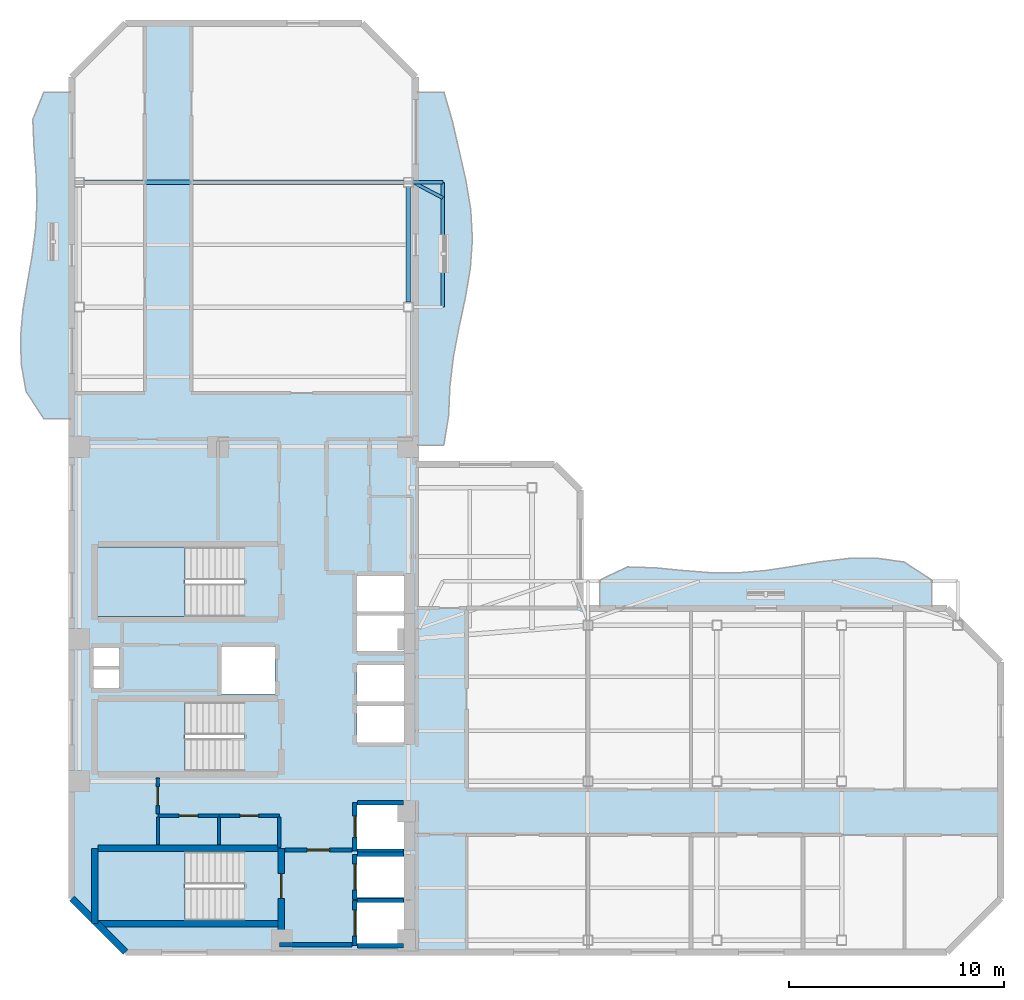
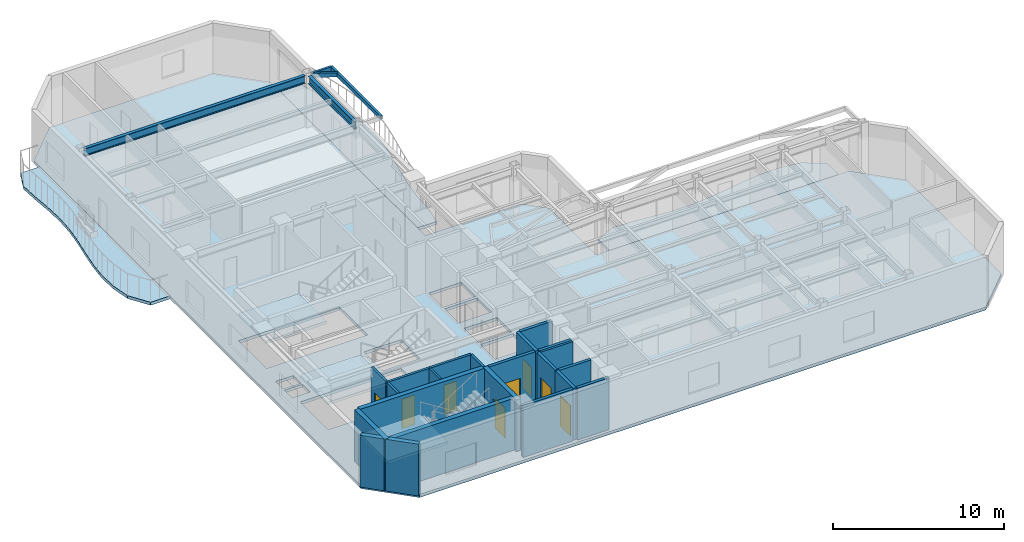
# One storey, part 2 of 9: 21 walls, 8 doors, 7 slabs, 5 beams, 8 openings, 3 elements without a shape of their own.
"""IFC4 building model written with IfcOpenShell, lengths in metres."""

from ifc_helpers import new_model, si_unit, direction, frame, frame_2d, origin, origin_2d, place, context, subcontext, project, spatial, polyline, rectangle, hollow_rectangle, i_section, outline, extrude, material, layer, layer_set, material_profile, profile_set, type_object, element, fill, aggregate, save


model = new_model("IFC4")

# Units and contexts
model_context = context("Model", 3, precision=1e-05, world=origin(), true_north=direction((0.0, 1.0)))
body_context = subcontext(model_context, "Body", "Model", "MODEL_VIEW")
ifc_project = project(units=[si_unit("LENGTHUNIT", "METRE"), si_unit("AREAUNIT", "SQUARE_METRE"), si_unit("VOLUMEUNIT", "CUBIC_METRE"), si_unit("PLANEANGLEUNIT", "RADIAN"), si_unit("MASSUNIT", "GRAM", prefix="KILO")], contexts=[model_context])

# Site, building, storey
site_placement = place(None, origin())
site = spatial("IfcSite", under=ifc_project, at=site_placement, CompositionType="ELEMENT")
building_placement = place(site_placement, origin())
building = spatial("IfcBuilding", under=site, at=building_placement, Name="Mawjaban Terraces University", CompositionType="ELEMENT")
storey_placement = place(building_placement, frame((0.0, 0.0, 210.89990234375)))
storey = spatial("IfcBuildingStorey", under=building, at=storey_placement, Name="L51", CompositionType="ELEMENT", Elevation=210.89990234375)

# Beams
ifc_material_1 = material(Name="Steel EN 10210-1 S355J2H", Category="steel")
ifc_material_profile_1 = material_profile(ifc_material_1, hollow_rectangle(XDim=0.14990234375, YDim=0.300048828125, WallThickness=0.012451171875, at=origin_2d()), Name="RHS300X150X12.5")
ifc_profile_set_1 = profile_set([ifc_material_profile_1], Name="Steel EN 10210-1 S355J2H")
beam_type_1 = type_object("IfcBeamType", Name="BalconyCantileverSpandrel_RHS", PredefinedType="SPANDREL", material=ifc_profile_set_1)
beam_1_placement = place(storey_placement, frame((37.875, 35.800048828125, 3.5400390625), z_axis=(1.0, 0.0, 0.0), x_axis=(0.0, 1.0, 0.0)))
element("IfcBeam", 1, at=beam_1_placement, inside=storey, type_object=beam_type_1, Name="L51 Exterior Outrigger BAL-L52-E.2", PredefinedType="SPANDREL", context=body_context, shape_type="SweptSolid", body=[
    extrude(hollow_rectangle(XDim=0.14990234375, YDim=0.300048828125, WallThickness=0.012451171875, at=origin_2d()), origin(), (0.0, 0.0, 1.0), 1.375),
])
beam_2_placement = place(storey_placement, frame((39.25, 30.0, 3.5400390625), z_axis=(0.0, 1.0, 0.0), x_axis=(-1.0, 0.0, 0.0)))
element("IfcBeam", 2, at=beam_2_placement, inside=storey, type_object=beam_type_1, Name="L51 Exterior Edge Spandrel BAL-L52-E", PredefinedType="SPANDREL", context=body_context, shape_type="SweptSolid", body=[
    extrude(hollow_rectangle(XDim=0.14990234375, YDim=0.300048828125, WallThickness=0.012451171875, at=origin_2d()), origin(), (0.0, 0.0, 1.0), 5.800048828125),
])
beam_3_placement = place(storey_placement, frame((37.875, 35.800048828125, 3.5400390625), z_axis=(0.8845431803, -0.466458317736, 0.0), x_axis=(0.466458317736, 0.8845431803, 0.0)))
element("IfcBeam", 3, at=beam_3_placement, inside=storey, type_object=beam_type_1, Name="L51 Exterior Diagonal Strut BAL-L52-E.2", PredefinedType="SPANDREL", context=body_context, shape_type="SweptSolid", body=[
    extrude(hollow_rectangle(XDim=0.14990234375, YDim=0.300048828125, WallThickness=0.012451171875, at=origin_2d()), origin(), (0.0, 0.0, 1.0), 1.554443359375),
])
ifc_material_2 = material(Name="Steel ASTM A572 Grade 50", Category="steel")
ifc_material_profile_2 = material_profile(ifc_material_2, i_section(OverallWidth=0.2119140625, OverallDepth=0.5439453125, WebThickness=0.01318359375, FlangeThickness=0.021240234375, at=origin_2d()), Name="W530X123")
ifc_profile_set_2 = profile_set([ifc_material_profile_2], Name="Steel ASTM A572 Grade 50")
beam_type_2 = type_object("IfcBeamType", Name="Beam_B_W530X123", PredefinedType="BEAM", material=ifc_profile_set_2)
beam_4_placement = place(storey_placement, frame((22.574951171875, 35.800048828125, 3.418212890625), z_axis=(1.0, 0.0, 0.0), x_axis=(0.0, 1.0, 0.0)))
element("IfcBeam", 4, at=beam_4_placement, inside=storey, type_object=beam_type_2, Name="L51 Beam BM-L51-EW-13", PredefinedType="BEAM", context=body_context, shape_type="SweptSolid", body=[
    extrude(i_section(OverallWidth=0.2119140625, OverallDepth=0.5439453125, WebThickness=0.01318359375, FlangeThickness=0.021240234375, at=origin_2d()), origin(), (0.0, 0.0, 1.0), 14.85009765625),
])
beam_5_placement = place(storey_placement, frame((37.64990234375, 30.22509765625, 3.418212890625), z_axis=(0.0, 1.0, 0.0), x_axis=(-1.0, 0.0, 0.0)))
element("IfcBeam", 5, at=beam_5_placement, inside=storey, type_object=beam_type_2, Name="L51 Beam BM-L51-NS-09", PredefinedType="BEAM", context=body_context, shape_type="SweptSolid", body=[
    extrude(i_section(OverallWidth=0.2119140625, OverallDepth=0.5439453125, WebThickness=0.01318359375, FlangeThickness=0.021240234375, at=origin_2d()), origin(), (0.0, 0.0, 1.0), 5.349853515625),
])

# Slabs
ifc_material_3 = material(Name="Concrete C40/50", Category="concrete")
ifc_layer_1 = layer(ifc_material_3, 0.2099609375)
ifc_layer_set_1 = layer_set([ifc_layer_1], Name="Concrete C40/50")
slab_type_1 = type_object("IfcSlabType", Name="BalconySlab_210_Ext", PredefinedType="FLOOR", material=ifc_layer_set_1)
slab_1_placement = place(storey_placement, frame((0.0, 0.0, -0.2099609375)))
element("IfcSlab", 6, at=slab_1_placement, inside=storey, type_object=slab_type_1, Name="L51 Planted Balcony Slab west", PredefinedType="FLOOR", context=body_context, shape_type="SweptSolid", body=[
    extrude(outline(polyline([(22.010009765625, 24.800048828125), (22.010009765625, 40.0), (20.699951171875, 40.0), (20.18310546875, 38.73291015625), (20.237060546875, 37.467041015625), (20.3349609375, 36.199951171875), (20.3779296875, 34.93310546875), (20.318115234375, 33.6669921875), (20.154052734375, 32.39990234375), (19.931884765625, 31.133056640625), (19.72509765625, 29.866943359375), (19.612060546875, 28.60009765625), (19.64892578125, 27.3330078125), (19.8720703125, 26.06689453125), (20.699951171875, 24.800048828125), (22.010009765625, 24.800048828125)])), origin(), (0.0, 0.0, 1.0), 0.2099609375),
])
slab_2_placement = place(storey_placement, frame((0.0, 0.0, -0.2099609375)))
element("IfcSlab", 7, at=slab_2_placement, inside=storey, type_object=slab_type_1, Name="L51 Planted Balcony Slab inner_north", PredefinedType="FLOOR", context=body_context, shape_type="SweptSolid", body=[
    extrude(outline(polyline([(46.550048828125, 15.989990234375), (62.0, 15.989990234375), (62.0, 17.300048828125), (60.7119140625, 18.14111328125), (59.425048828125, 18.321044921875), (58.137939453125, 18.30908203125), (56.85009765625, 18.158935546875), (55.56201171875, 17.944091796875), (54.27490234375, 17.7490234375), (52.987060546875, 17.64111328125), (51.699951171875, 17.64697265625), (50.412109375, 17.748046875), (49.125, 17.873046875), (47.8369140625, 17.9130859375), (46.550048828125, 17.300048828125), (46.550048828125, 15.989990234375)])), origin(), (0.0, 0.0, 1.0), 0.2099609375),
])
slab_3_placement = place(storey_placement, frame((0.0, 0.0, -0.2099609375)))
element("IfcSlab", 8, at=slab_3_placement, inside=storey, type_object=slab_type_1, Name="L51 Planted Balcony Slab inner_east", PredefinedType="FLOOR", context=body_context, shape_type="SweptSolid", body=[
    extrude(outline(polyline([(39.300048828125, 23.5830078125), (39.52001953125, 24.950927734375), (39.5810546875, 26.319091796875), (39.743896484375, 27.68701171875), (40.0029296875, 29.054931640625), (40.2958984375, 30.423095703125), (40.530029296875, 31.791015625), (40.626953125, 33.159912109375), (40.551025390625, 34.528076171875), (40.322998046875, 35.89599609375), (40.011962890625, 37.263916015625), (39.698974609375, 38.632080078125), (39.300048828125, 40.0), (37.989990234375, 40.0), (37.989990234375, 23.5830078125), (39.300048828125, 23.5830078125)])), origin(), (0.0, 0.0, 1.0), 0.2099609375),
])
ifc_layer_2 = layer(ifc_material_3, 0.2099609375)
ifc_layer_set_2 = layer_set([ifc_layer_2], Name="Concrete C40/50")
slab_type_2 = type_object("IfcSlabType", Name="CompositeSlab_210", PredefinedType="FLOOR", material=ifc_layer_set_2)
slab_4_placement = place(storey_placement, frame((0.0, 0.0, -0.2099609375)))
element("IfcSlab", 9, at=slab_4_placement, inside=storey, type_object=slab_type_2, Name="L51 Primary Structural Slab", PredefinedType="FLOOR", context=body_context, shape_type="SweptSolid", body=[
    extrude(outline(polyline([(24.5, 0.0), (62.699951171875, 0.0), (65.199951171875, 2.5), (65.199951171875, 13.5), (62.699951171875, 16.0), (45.64990234375, 16.0), (45.64990234375, 21.48291015625), (44.449951171875, 22.68310546875), (38.0, 22.68310546875), (38.0, 40.699951171875), (35.5, 43.199951171875), (24.5, 43.199951171875), (22.0, 40.699951171875), (22.0, 2.5), (24.5, 0.0)]), holes=[polyline([(30.014892578125, 4.699951171875), (23.199951171875, 4.699951171875), (23.199951171875, 1.449951171875), (30.014892578125, 1.449951171875), (30.014892578125, 4.699951171875)]), polyline([(30.014892578125, 18.85009765625), (23.199951171875, 18.85009765625), (23.199951171875, 15.60009765625), (30.014892578125, 15.60009765625), (30.014892578125, 18.85009765625)]), polyline([(30.014892578125, 11.64990234375), (23.199951171875, 11.64990234375), (23.199951171875, 8.39990234375), (30.014892578125, 8.39990234375), (30.014892578125, 11.64990234375)]), polyline([(35.25, 0.39990234375), (37.449951171875, 0.39990234375), (37.449951171875, 2.300048828125), (35.25, 2.300048828125), (35.25, 0.39990234375)]), polyline([(35.25, 2.550048828125), (37.449951171875, 2.550048828125), (37.449951171875, 4.449951171875), (35.25, 4.449951171875), (35.25, 2.550048828125)]), polyline([(35.25, 4.800048828125), (37.449951171875, 4.800048828125), (37.449951171875, 6.85009765625), (35.25, 6.85009765625), (35.25, 4.800048828125)]), polyline([(35.25, 9.75), (37.449951171875, 9.75), (37.449951171875, 11.449951171875), (35.25, 11.449951171875), (35.25, 9.75)]), polyline([(35.25, 11.64990234375), (37.449951171875, 11.64990234375), (37.449951171875, 13.35009765625), (35.25, 13.35009765625), (35.25, 11.64990234375)]), polyline([(28.949951171875, 12.0), (31.449951171875, 12.0), (31.449951171875, 14.199951171875), (28.949951171875, 14.199951171875), (28.949951171875, 12.0)]), polyline([(35.25, 14.0), (37.449951171875, 14.0), (37.449951171875, 15.64990234375), (35.25, 15.64990234375), (35.25, 14.0)]), polyline([(35.25, 15.85009765625), (37.449951171875, 15.85009765625), (37.449951171875, 17.5), (35.25, 17.5), (35.25, 15.85009765625)]), polyline([(23.0, 12.25), (24.199951171875, 12.25), (24.199951171875, 13.14990234375), (23.0, 13.14990234375), (23.0, 12.25)]), polyline([(23.0, 13.300048828125), (24.199951171875, 13.300048828125), (24.199951171875, 14.179931640625), (23.0, 14.179931640625), (23.0, 13.300048828125)])]), origin(), (0.0, 0.0, 1.0), 0.2099609375),
])

# Stair, slab
stair_type = type_object("IfcStairType", Name="Stair_Core1550_H39", PredefinedType="HALF_TURN_STAIR", material=ifc_material_3)
stair_1_placement = place(storey_placement, origin())
stair_1 = element("IfcStair", 10, at=stair_1_placement, inside=storey, type_object=stair_type, Name="L51 Core Exit Stair 1", PredefinedType="HALF_TURN_STAIR")
ifc_layer_3 = layer(ifc_material_3, 0.199951171875)
ifc_layer_set_3 = layer_set([ifc_layer_3], Name="Concrete C40/50")
slab_type_3 = type_object("IfcSlabType", Name="StairLandingSlab_200", PredefinedType="LANDING", material=ifc_layer_set_3)
slab_5_placement = place(storey_placement, frame((0.0, 0.0, 1.75)))
slab_5 = element("IfcSlab", 11, at=slab_5_placement, type_object=slab_type_3, Name="ST-1 landing 1", PredefinedType="LANDING", context=body_context, shape_type="SweptSolid", body=[
    extrude(outline(polyline([(27.25, 4.699951171875), (23.199951171875, 4.699951171875), (23.199951171875, 1.449951171875), (27.25, 1.449951171875), (27.25, 4.699951171875)])), origin(), (0.0, 0.0, 1.0), 0.2001953125),
])
aggregate(stair_1, [slab_5])

stair_2_placement = place(storey_placement, origin())
stair_2 = element("IfcStair", 12, at=stair_2_placement, inside=storey, type_object=stair_type, Name="L51 Core Exit Stair 2", PredefinedType="HALF_TURN_STAIR")
slab_6_placement = place(storey_placement, frame((0.0, 0.0, 1.75)))
slab_6 = element("IfcSlab", 13, at=slab_6_placement, type_object=slab_type_3, Name="ST-2 landing 1", PredefinedType="LANDING", context=body_context, shape_type="SweptSolid", body=[
    extrude(outline(polyline([(27.25, 18.85009765625), (23.199951171875, 18.85009765625), (23.199951171875, 15.60009765625), (27.25, 15.60009765625), (27.25, 18.85009765625)])), origin(), (0.0, 0.0, 1.0), 0.2001953125),
])
aggregate(stair_2, [slab_6])

stair_3_placement = place(storey_placement, origin())
stair_3 = element("IfcStair", 14, at=stair_3_placement, inside=storey, type_object=stair_type, Name="L51 Core Exit Stair 3", PredefinedType="HALF_TURN_STAIR")
slab_7_placement = place(storey_placement, frame((0.0, 0.0, 1.75)))
slab_7 = element("IfcSlab", 15, at=slab_7_placement, type_object=slab_type_3, Name="ST-3 landing 1", PredefinedType="LANDING", context=body_context, shape_type="SweptSolid", body=[
    extrude(outline(polyline([(27.25, 11.64990234375), (23.199951171875, 11.64990234375), (23.199951171875, 8.39990234375), (27.25, 8.39990234375), (27.25, 11.64990234375)])), origin(), (0.0, 0.0, 1.0), 0.2001953125),
])
aggregate(stair_3, [slab_7])

# Wall, opening, door
ifc_material_4 = material(Name="Fire-rated gypsum board on steel stud", Category="steel")
ifc_layer_4 = layer(ifc_material_4, 0.159912109375)
ifc_layer_set_4 = layer_set([ifc_layer_4], Name="Fire-rated gypsum board on steel stud")
wall_type_1 = type_object("IfcWallType", Name="CorridorPartition_160", PredefinedType="PARTITIONING", material=ifc_layer_set_4)
wall_1_placement = place(storey_placement, frame((26.0, 6.35009765625, 0.0), z_axis=(0.0, 0.0, 1.0), x_axis=(1.0, 0.0, 0.0)))
wall_1 = element("IfcWall", 16, at=wall_1_placement, inside=storey, type_object=wall_type_1, Name="L51 Core Washroom Lobby Partition 5", PredefinedType="PARTITIONING", context=body_context, shape_type="SweptSolid", body=[
    extrude(rectangle(XDim=2.85009765625, YDim=0.159912109375, at=frame_2d((1.425048828125, 0.0))), origin(), (0.0, 0.0, 1.0), 3.690185546875),
])
opening_1_placement = place(wall_1_placement, frame((0.985107421875, 0.0, 0.0)))
opening_1 = element("IfcOpeningElement", 17, at=opening_1_placement, cuts=wall_1, Name="Opening ID-088", PredefinedType="OPENING", context=body_context, shape_type="SweptSolid", body=[
    extrude(rectangle(XDim=0.8798828125, YDim=2.10009765625, at=frame_2d((0.43994140625, 1.050048828125))), frame((0.0, 0.08984375, 0.0), z_axis=(0.0, -1.0, 0.0), x_axis=(1.0, 0.0, 0.0)), (0.0, 0.0, 1.0), 0.179931640625),
])
ifc_material_5 = material(Name="Powder-coated steel frame and solid acoustic timber leaf", Category="steel")
door_type_1 = type_object("IfcDoorType", Name="ToiletDoor_880x2100", OperationType="NOTDEFINED", PredefinedType="DOOR", material=ifc_material_5)
door_1_placement = place(opening_1_placement, origin())
door_1 = element("IfcDoor", 18, at=door_1_placement, inside=storey, type_object=door_type_1, Name="L51 Male Toilet Door", OperationType="SINGLE_SWING_LEFT", OverallHeight=2.10009765625, OverallWidth=0.8798828125, PredefinedType="DOOR", context=body_context, shape_type="SweptSolid", body=[
    extrude(rectangle(XDim=0.8798828125, YDim=2.10009765625, at=frame_2d((0.43994140625, 1.050048828125))), frame((0.0, 0.02490234375, 0.0), z_axis=(0.0, -1.0, 0.0), x_axis=(1.0, 0.0, 0.0)), (0.0, 0.0, 1.0), 0.050048828125),
])
fill(opening_1, door_1)

wall_2_placement = place(storey_placement, frame((28.85009765625, 6.35009765625, 0.0), z_axis=(0.0, 0.0, 1.0), x_axis=(1.0, 0.0, 0.0)))
wall_2 = element("IfcWall", 19, at=wall_2_placement, inside=storey, type_object=wall_type_1, Name="L51 Core Washroom Lobby Partition 7", PredefinedType="PARTITIONING", context=body_context, shape_type="SweptSolid", body=[
    extrude(rectangle(XDim=2.7998046875, YDim=0.159912109375, at=frame_2d((1.39990234375, 0.0))), origin(), (0.0, 0.0, 1.0), 3.690185546875),
])
opening_2_placement = place(wall_2_placement, frame((0.9599609375, 0.0, 0.0)))
opening_2 = element("IfcOpeningElement", 20, at=opening_2_placement, cuts=wall_2, Name="Opening ID-088", PredefinedType="OPENING", context=body_context, shape_type="SweptSolid", body=[
    extrude(rectangle(XDim=0.8798828125, YDim=2.10009765625, at=frame_2d((0.43994140625, 1.050048828125))), frame((0.0, 0.08984375, 0.0), z_axis=(0.0, -1.0, 0.0), x_axis=(1.0, 0.0, 0.0)), (0.0, 0.0, 1.0), 0.179931640625),
])
door_2_placement = place(opening_2_placement, origin())
door_2 = element("IfcDoor", 21, at=door_2_placement, inside=storey, type_object=door_type_1, Name="L51 Accessible Toilet Door", OperationType="SINGLE_SWING_RIGHT", OverallHeight=2.10009765625, OverallWidth=0.8798828125, PredefinedType="DOOR", context=body_context, shape_type="SweptSolid", body=[
    extrude(rectangle(XDim=0.8798828125, YDim=2.10009765625, at=frame_2d((0.43994140625, 1.050048828125))), frame((0.0, 0.02490234375, 0.0), z_axis=(0.0, -1.0, 0.0), x_axis=(1.0, 0.0, 0.0)), (0.0, 0.0, 1.0), 0.050048828125),
])
fill(opening_2, door_2)

wall_3_placement = place(storey_placement, frame((26.0, 8.090087890625, 0.0), z_axis=(0.0, 0.0, 1.0), x_axis=(0.0, -1.0, 0.0)))
wall_3 = element("IfcWall", 22, at=wall_3_placement, inside=storey, type_object=wall_type_1, Name="L51 Core Washroom Lobby Partition 34", PredefinedType="PARTITIONING", context=body_context, shape_type="SweptSolid", body=[
    extrude(rectangle(XDim=1.6650390625, YDim=0.159912109375, at=frame_2d((0.83251953125, 0.0))), origin(), (0.0, 0.0, 1.0), 3.690185546875),
])
opening_3_placement = place(wall_3_placement, frame((0.39306640625, 0.0, 0.0)))
opening_3 = element("IfcOpeningElement", 23, at=opening_3_placement, cuts=wall_3, Name="Opening ID-088", PredefinedType="OPENING", context=body_context, shape_type="SweptSolid", body=[
    extrude(rectangle(XDim=0.8798828125, YDim=2.10009765625, at=frame_2d((0.43994140625, 1.050048828125))), frame((0.0, 0.08984375, 0.0), z_axis=(0.0, -1.0, 0.0), x_axis=(1.0, 0.0, 0.0)), (0.0, 0.0, 1.0), 0.179931640625),
])
door_3_placement = place(opening_3_placement, origin())
door_3 = element("IfcDoor", 24, at=door_3_placement, inside=storey, type_object=door_type_1, Name="L51 Ablution Room Door", OperationType="SINGLE_SWING_RIGHT", OverallHeight=2.10009765625, OverallWidth=0.8798828125, PredefinedType="DOOR", context=body_context, shape_type="SweptSolid", body=[
    extrude(rectangle(XDim=0.8798828125, YDim=2.10009765625, at=frame_2d((0.43994140625, 1.050048828125))), frame((0.0, 0.02490234375, 0.0), z_axis=(0.0, -1.0, 0.0), x_axis=(1.0, 0.0, 0.0)), (0.0, 0.0, 1.0), 0.050048828125),
])
fill(opening_3, door_3)

# Walls
wall_4_placement = place(storey_placement, frame((31.64990234375, 4.860107421875, 0.0), z_axis=(0.0, 0.0, 1.0), x_axis=(0.0, 1.0, 0.0)))
element("IfcWall", 25, at=wall_4_placement, inside=storey, type_object=wall_type_1, Name="L51 Accessible Toilet Partition 39", PredefinedType="PARTITIONING", context=body_context, shape_type="SweptSolid", body=[
    extrude(rectangle(XDim=1.414794921875, YDim=0.159912109375, at=frame_2d((0.70751953125, 0.0))), origin(), (0.0, 0.0, 1.0), 3.690185546875),
])
ifc_material_6 = material(Name="Insulated terracotta rainscreen on concrete backup C40/50", Category="masonry")
ifc_layer_5 = layer(ifc_material_6, 0.300048828125)
ifc_layer_set_5 = layer_set([ifc_layer_5], Name="Insulated terracotta rainscreen on concrete backup C40/50")
wall_type_2 = type_object("IfcWallType", Name="ExtTerracottaWall_300", PredefinedType="SOLIDWALL", material=ifc_layer_set_5)
wall_5_placement = place(storey_placement, frame((22.0, 2.5, 0.0), z_axis=(0.0, 0.0, 1.0), x_axis=(0.707106781187, -0.707106781187, 0.0)))
element("IfcWall", 26, at=wall_5_placement, inside=storey, type_object=wall_type_2, Name="L51 Exterior Terracotta Wall 14", PredefinedType="SOLIDWALL", context=body_context, shape_type="SweptSolid", body=[
    extrude(rectangle(XDim=3.53564453125, YDim=0.300048828125, at=frame_2d((1.767822265625, 0.0))), origin(), (0.0, 0.0, 1.0), 3.690185546875),
])

# Wall, opening, door
ifc_layer_6 = layer(ifc_material_3, 0.199951171875)
ifc_layer_set_6 = layer_set([ifc_layer_6], Name="Concrete C40/50")
wall_type_3 = type_object("IfcWallType", Name="FireLobbyWall_200", PredefinedType="SOLIDWALL", material=ifc_layer_set_6)
wall_6_placement = place(storey_placement, frame((35.14990234375, 2.39990234375, 0.0), z_axis=(0.0, 0.0, 1.0), x_axis=(0.0, -1.0, 0.0)))
wall_6 = element("IfcWall", 27, at=wall_6_placement, inside=storey, type_object=wall_type_3, Name="L51 Lift FL-1 Hoistway Wall West", PredefinedType="SOLIDWALL", context=body_context, shape_type="SweptSolid", body=[
    extrude(rectangle(XDim=2.099853515625, YDim=0.199951171875, at=frame_2d((1.0498046875, 0.0))), origin(), (0.0, 0.0, 1.0), 3.690185546875),
])
opening_4_placement = place(wall_6_placement, frame((0.449951171875, 0.0, 0.0)))
opening_4 = element("IfcOpeningElement", 28, at=opening_4_placement, cuts=wall_6, Name="Opening LD-FL-1", PredefinedType="OPENING", context=body_context, shape_type="SweptSolid", body=[
    extrude(rectangle(XDim=1.199951171875, YDim=2.14990234375, at=frame_2d((0.60009765625, 1.074951171875))), frame((0.0, 0.10986328125, 0.0), z_axis=(0.0, -1.0, 0.0), x_axis=(1.0, 0.0, 0.0)), (0.0, 0.0, 1.0), 0.219970703125),
])
ifc_material_7 = material(Name="Powder-coated steel frame and fire-rated steel-faced leaf", Category="steel")
door_type_2 = type_object("IfcDoorType", Name="LiftLandingFSAE_1200x2150", OperationType="NOTDEFINED", PredefinedType="DOOR", material=ifc_material_7)
door_4_placement = place(opening_4_placement, origin())
door_4 = element("IfcDoor", 29, at=door_4_placement, inside=storey, type_object=door_type_2, Name="L51 Lift FL-1 Sliding Landing Door", OperationType="DOUBLE_DOOR_SLIDING", OverallHeight=2.14990234375, OverallWidth=1.199951171875, PredefinedType="DOOR", context=body_context, shape_type="SweptSolid", body=[
    extrude(rectangle(XDim=1.199951171875, YDim=2.14990234375, at=frame_2d((0.60009765625, 1.074951171875))), frame((0.0, 0.02490234375, 0.0), z_axis=(0.0, -1.0, 0.0), x_axis=(1.0, 0.0, 0.0)), (0.0, 0.0, 1.0), 0.050048828125),
])
fill(opening_4, door_4)

# Walls
for number, where, z_axis, x_axis, name in (
    (30, (35.280029296875, 0.300048828125, 0.0), (0.0, 0.0, 1.0), (1.0, 0.0, 0.0), "L51 Lift FL-1 Hoistway Wall South"),
    (31, (37.419921875, 2.39990234375, 0.0), (0.0, 0.0, 1.0), (-1.0, 0.0, 0.0), "L51 Lift FL-1 Hoistway Wall North"),
):
    element("IfcWall", number, at=place(storey_placement, frame(where, z_axis=z_axis, x_axis=x_axis)), inside=storey, type_object=wall_type_3, Name=name, PredefinedType="SOLIDWALL", context=body_context, shape_type="SweptSolid", body=[
        extrude(rectangle(XDim=2.139892578125, YDim=0.199951171875, at=frame_2d((1.06982421875, 0.0))), origin(), (0.0, 0.0, 1.0), 3.690185546875),
    ])

# Wall, opening, door
wall_7_placement = place(storey_placement, frame((35.14990234375, 4.550048828125, 0.0), z_axis=(0.0, 0.0, 1.0), x_axis=(0.0, -1.0, 0.0)))
wall_7 = element("IfcWall", 32, at=wall_7_placement, inside=storey, type_object=wall_type_3, Name="L51 Lift FL-2 Hoistway Wall West", PredefinedType="SOLIDWALL", context=body_context, shape_type="SweptSolid", body=[
    extrude(rectangle(XDim=2.10009765625, YDim=0.199951171875, at=frame_2d((1.050048828125, 0.0))), origin(), (0.0, 0.0, 1.0), 3.690185546875),
])
opening_5_placement = place(wall_7_placement, frame((0.449951171875, 0.0, 0.0)))
opening_5 = element("IfcOpeningElement", 33, at=opening_5_placement, cuts=wall_7, Name="Opening LD-FL-2", PredefinedType="OPENING", context=body_context, shape_type="SweptSolid", body=[
    extrude(rectangle(XDim=1.199951171875, YDim=2.14990234375, at=frame_2d((0.60009765625, 1.074951171875))), frame((0.0, 0.10986328125, 0.0), z_axis=(0.0, -1.0, 0.0), x_axis=(1.0, 0.0, 0.0)), (0.0, 0.0, 1.0), 0.219970703125),
])
door_5_placement = place(opening_5_placement, origin())
door_5 = element("IfcDoor", 34, at=door_5_placement, inside=storey, type_object=door_type_2, Name="L51 Lift FL-2 Sliding Landing Door", OperationType="DOUBLE_DOOR_SLIDING", OverallHeight=2.14990234375, OverallWidth=1.199951171875, PredefinedType="DOOR", context=body_context, shape_type="SweptSolid", body=[
    extrude(rectangle(XDim=1.199951171875, YDim=2.14990234375, at=frame_2d((0.60009765625, 1.074951171875))), frame((0.0, 0.02490234375, 0.0), z_axis=(0.0, -1.0, 0.0), x_axis=(1.0, 0.0, 0.0)), (0.0, 0.0, 1.0), 0.050048828125),
])
fill(opening_5, door_5)

# Wall
wall_8_placement = place(storey_placement, frame((37.419921875, 4.550048828125, 0.0), z_axis=(0.0, 0.0, 1.0), x_axis=(-1.0, 0.0, 0.0)))
element("IfcWall", 35, at=wall_8_placement, inside=storey, type_object=wall_type_3, Name="L51 Lift FL-2 Hoistway Wall North", PredefinedType="SOLIDWALL", context=body_context, shape_type="SweptSolid", body=[
    extrude(rectangle(XDim=2.139892578125, YDim=0.199951171875, at=frame_2d((1.06982421875, 0.0))), origin(), (0.0, 0.0, 1.0), 3.690185546875),
])

# Wall, opening, door
wall_9_placement = place(storey_placement, frame((35.14990234375, 6.949951171875, 0.0), z_axis=(0.0, 0.0, 1.0), x_axis=(0.0, -1.0, 0.0)))
wall_9 = element("IfcWall", 36, at=wall_9_placement, inside=storey, type_object=wall_type_3, Name="L51 Lift SL-1 Hoistway Wall West", PredefinedType="SOLIDWALL", context=body_context, shape_type="SweptSolid", body=[
    extrude(rectangle(XDim=2.25, YDim=0.199951171875, at=frame_2d((1.125, 0.0))), origin(), (0.0, 0.0, 1.0), 3.690185546875),
])
opening_6_placement = place(wall_9_placement, frame((0.625, 0.0, 0.0)))
opening_6 = element("IfcOpeningElement", 37, at=opening_6_placement, cuts=wall_9, Name="Opening LD-SL-1", PredefinedType="OPENING", context=body_context, shape_type="SweptSolid", body=[
    extrude(rectangle(XDim=1.0, YDim=2.10009765625, at=frame_2d((0.5, 1.050048828125))), frame((0.0, 0.10986328125, 0.0), z_axis=(0.0, -1.0, 0.0), x_axis=(1.0, 0.0, 0.0)), (0.0, 0.0, 1.0), 0.219970703125),
])
door_type_3 = type_object("IfcDoorType", Name="LiftLandingSliding_1000x2100", OperationType="NOTDEFINED", PredefinedType="DOOR", material=ifc_material_7)
door_6_placement = place(opening_6_placement, origin())
door_6 = element("IfcDoor", 38, at=door_6_placement, inside=storey, type_object=door_type_3, Name="L51 Lift SL-1 Sliding Landing Door", OperationType="DOUBLE_DOOR_SLIDING", OverallHeight=2.10009765625, OverallWidth=1.0, PredefinedType="DOOR", context=body_context, shape_type="SweptSolid", body=[
    extrude(rectangle(XDim=1.0, YDim=2.10009765625, at=frame_2d((0.5, 1.050048828125))), frame((0.0, 0.02490234375, 0.0), z_axis=(0.0, -1.0, 0.0), x_axis=(1.0, 0.0, 0.0)), (0.0, 0.0, 1.0), 0.050048828125),
])
fill(opening_6, door_6)

# Walls
for number, where, z_axis, x_axis, name in (
    (39, (35.280029296875, 4.699951171875, 0.0), (0.0, 0.0, 1.0), (1.0, 0.0, 0.0), "L51 Lift SL-1 Hoistway Wall South"),
    (40, (37.419921875, 6.949951171875, 0.0), (0.0, 0.0, 1.0), (-1.0, 0.0, 0.0), "L51 Lift SL-1 Hoistway Wall North"),
):
    element("IfcWall", number, at=place(storey_placement, frame(where, z_axis=z_axis, x_axis=x_axis)), inside=storey, type_object=wall_type_3, Name=name, PredefinedType="SOLIDWALL", context=body_context, shape_type="SweptSolid", body=[
        extrude(rectangle(XDim=2.139892578125, YDim=0.199951171875, at=frame_2d((1.06982421875, 0.0))), origin(), (0.0, 0.0, 1.0), 3.690185546875),
    ])
wall_10_placement = place(storey_placement, frame((31.64990234375, 0.35009765625, 0.0), z_axis=(0.0, 0.0, 1.0), x_axis=(1.0, 0.0, 0.0)))
element("IfcWall", 41, at=wall_10_placement, inside=storey, type_object=wall_type_3, Name="L51 Firefighting Lift Lobby Partition 8", PredefinedType="SOLIDWALL", context=body_context, shape_type="SweptSolid", body=[
    extrude(rectangle(XDim=3.3701171875, YDim=0.199951171875, at=frame_2d((1.68505859375, 0.0))), origin(), (0.0, 0.0, 1.0), 3.690185546875),
])

# Wall, opening, door
wall_11_placement = place(storey_placement, frame((35.02001953125, 4.75, 0.0), z_axis=(0.0, 0.0, 1.0), x_axis=(-1.0, 0.0, 0.0)))
wall_11 = element("IfcWall", 42, at=wall_11_placement, inside=storey, type_object=wall_type_3, Name="L51 Firefighting Lift Lobby Partition 11", PredefinedType="SOLIDWALL", context=body_context, shape_type="SweptSolid", body=[
    extrude(rectangle(XDim=3.110107421875, YDim=0.199951171875, at=frame_2d((1.55517578125, 0.0))), origin(), (0.0, 0.0, 1.0), 3.690185546875),
])
opening_7_placement = place(wall_11_placement, frame((1.030029296875, 0.0, 0.0)))
opening_7 = element("IfcOpeningElement", 43, at=opening_7_placement, cuts=wall_11, Name="Opening FD-105", PredefinedType="OPENING", context=body_context, shape_type="SweptSolid", body=[
    extrude(rectangle(XDim=1.050048828125, YDim=2.14990234375, at=frame_2d((0.52490234375, 1.074951171875))), frame((0.0, 0.10986328125, 0.0), z_axis=(0.0, -1.0, 0.0), x_axis=(1.0, 0.0, 0.0)), (0.0, 0.0, 1.0), 0.219970703125),
])
door_type_4 = type_object("IfcDoorType", Name="FireLobbyDoor_1050x2150", OperationType="NOTDEFINED", PredefinedType="DOOR", material=ifc_material_7)
door_7_placement = place(opening_7_placement, origin())
door_7 = element("IfcDoor", 44, at=door_7_placement, inside=storey, type_object=door_type_4, Name="L51 Firefighting Lift Lobby Door", OperationType="SINGLE_SWING_LEFT", OverallHeight=2.14990234375, OverallWidth=1.050048828125, PredefinedType="DOOR", context=body_context, shape_type="SweptSolid", body=[
    extrude(rectangle(XDim=1.050048828125, YDim=2.14990234375, at=frame_2d((0.52490234375, 1.074951171875))), frame((0.0, 0.02490234375, 0.0), z_axis=(0.0, -1.0, 0.0), x_axis=(1.0, 0.0, 0.0)), (0.0, 0.0, 1.0), 0.050048828125),
])
fill(opening_7, door_7)

# Walls
ifc_material_8 = material(Name="Concrete C60/75", Category="concrete")
ifc_layer_7 = layer(ifc_material_8, 0.300048828125)
ifc_layer_set_7 = layer_set([ifc_layer_7], Name="Concrete C60/75")
wall_type_4 = type_object("IfcWallType", Name="StairShaftWall_300", PredefinedType="SHEAR", material=ifc_layer_set_7)
wall_12_placement = place(storey_placement, frame((31.580078125, 4.830078125, 0.0), z_axis=(0.0, 0.0, 1.0), x_axis=(-1.0, 0.0, 0.0)))
element("IfcWall", 45, at=wall_12_placement, inside=storey, type_object=wall_type_4, Name="L51 ST-1 Stair Shaft Wall 1", PredefinedType="SHEAR", context=body_context, shape_type="SweptSolid", body=[
    extrude(rectangle(XDim=8.360107421875, YDim=0.300048828125, at=frame_2d((4.18017578125, 0.0))), origin(), (0.0, 0.0, 1.0), 3.690185546875),
])
wall_13_placement = place(storey_placement, frame((23.070068359375, 4.830078125, 0.0), z_axis=(0.0, 0.0, 1.0), x_axis=(0.0, -1.0, 0.0)))
element("IfcWall", 46, at=wall_13_placement, inside=storey, type_object=wall_type_4, Name="L51 ST-1 Stair Shaft Wall 2", PredefinedType="SHEAR", context=body_context, shape_type="SweptSolid", body=[
    extrude(rectangle(XDim=3.510009765625, YDim=0.300048828125, at=frame_2d((1.7548828125, 0.0))), origin(), (0.0, 0.0, 1.0), 3.690185546875),
])
wall_14_placement = place(storey_placement, frame((23.219970703125, 1.320068359375, 0.0), z_axis=(0.0, 0.0, 1.0), x_axis=(1.0, 0.0, 0.0)))
element("IfcWall", 47, at=wall_14_placement, inside=storey, type_object=wall_type_4, Name="L51 ST-1 Stair Shaft Wall 3", PredefinedType="SHEAR", context=body_context, shape_type="SweptSolid", body=[
    extrude(rectangle(XDim=8.360107421875, YDim=0.300048828125, at=frame_2d((4.18017578125, 0.0))), origin(), (0.0, 0.0, 1.0), 3.690185546875),
])

# Wall, opening, door
wall_15_placement = place(storey_placement, frame((31.72998046875, 0.9599609375, 0.0), z_axis=(0.0, 0.0, 1.0), x_axis=(0.0, 1.0, 0.0)))
wall_15 = element("IfcWall", 48, at=wall_15_placement, inside=storey, type_object=wall_type_4, Name="L51 ST-1 Stair Shaft Wall 4", PredefinedType="SHEAR", context=body_context, shape_type="SweptSolid", body=[
    extrude(rectangle(XDim=3.8701171875, YDim=0.300048828125, at=frame_2d((1.93505859375, 0.0))), origin(), (0.0, 0.0, 1.0), 3.690185546875),
])
opening_8_placement = place(wall_15_placement, frame((1.5400390625, 0.0, 0.0)))
opening_8 = element("IfcOpeningElement", 49, at=opening_8_placement, cuts=wall_15, Name="Opening FD-115", PredefinedType="OPENING", context=body_context, shape_type="SweptSolid", body=[
    extrude(rectangle(XDim=1.14990234375, YDim=2.14990234375, at=frame_2d((0.574951171875, 1.074951171875))), frame((0.0, 0.159912109375, 0.0), z_axis=(0.0, -1.0, 0.0), x_axis=(1.0, 0.0, 0.0)), (0.0, 0.0, 1.0), 0.320068359375),
])
door_type_5 = type_object("IfcDoorType", Name="FireStairDoor_1150x2150", OperationType="NOTDEFINED", PredefinedType="DOOR", material=ifc_material_7)
door_8_placement = place(opening_8_placement, origin())
door_8 = element("IfcDoor", 50, at=door_8_placement, inside=storey, type_object=door_type_5, Name="L51 ST-1 Pressurised Stair Fire Door", OperationType="SINGLE_SWING_RIGHT", OverallHeight=2.14990234375, OverallWidth=1.14990234375, PredefinedType="DOOR", context=body_context, shape_type="SweptSolid", body=[
    extrude(rectangle(XDim=1.14990234375, YDim=2.14990234375, at=frame_2d((0.574951171875, 1.074951171875))), frame((0.0, 0.02490234375, 0.0), z_axis=(0.0, -1.0, 0.0), x_axis=(1.0, 0.0, 0.0)), (0.0, 0.0, 1.0), 0.050048828125),
])
fill(opening_8, door_8)

# Walls
ifc_material_9 = material(Name="Cement-board wet-room partition", Category="masonry")
ifc_layer_8 = layer(ifc_material_9, 0.135009765625)
ifc_layer_set_8 = layer_set([ifc_layer_8], Name="Cement-board wet-room partition")
wall_type_5 = type_object("IfcWallType", Name="WetRoomPartition_135", PredefinedType="PARTITIONING", material=ifc_layer_set_8)
for number, where, z_axis, x_axis, name in (
    (51, (26.0, 5.010009765625, 0.0), (0.0, 0.0, 1.0), (0.0, 1.0, 0.0), "L51 Ablution Room Partition 33"),
    (52, (28.85009765625, 5.010009765625, 0.0), (0.0, 0.0, 1.0), (0.0, 1.0, 0.0), "L51 Male Toilet Partition 38"),
):
    element("IfcWall", number, at=place(storey_placement, frame(where, z_axis=z_axis, x_axis=x_axis)), inside=storey, type_object=wall_type_5, Name=name, PredefinedType="PARTITIONING", context=body_context, shape_type="SweptSolid", body=[
        extrude(rectangle(XDim=1.264892578125, YDim=0.135009765625, at=frame_2d((0.63232421875, 0.0))), origin(), (0.0, 0.0, 1.0), 3.690185546875),
    ])

save(model, "model.ifc")
